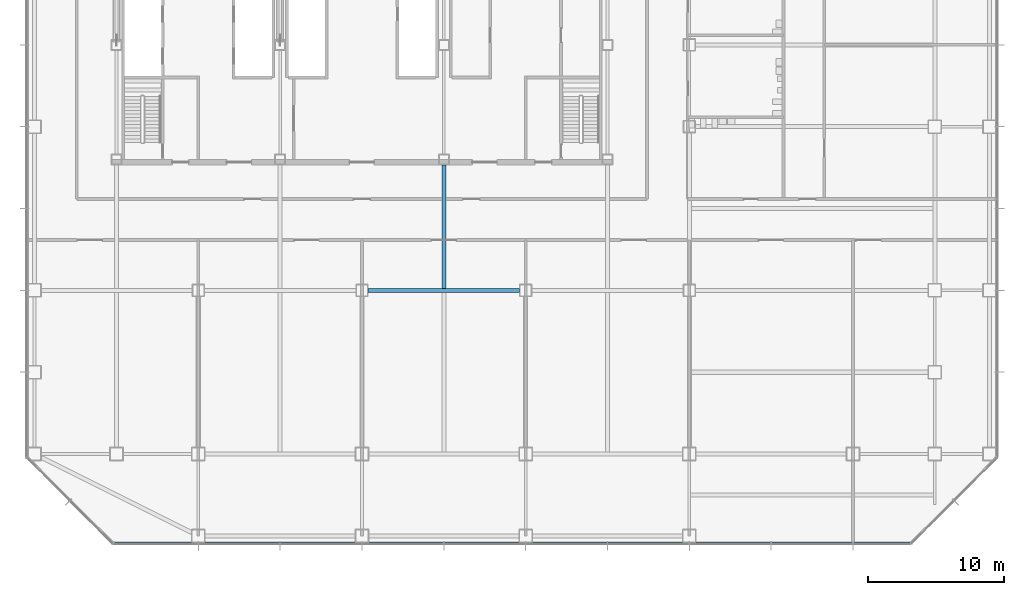
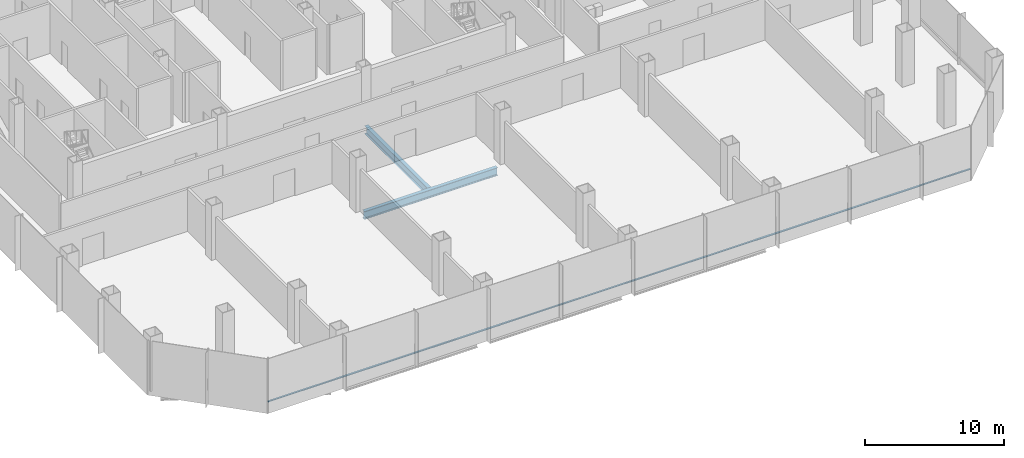
# One storey, part 7 of 33: 2 beams, 1 member, 1 element without a shape of its own.
"""IFC4 building model written with IfcOpenShell, lengths in metres."""

from ifc_helpers import new_model, si_unit, direction, frame, origin, origin_2d, place, context, subcontext, project, spatial, rectangle, i_section, extrude, material, material_profile, profile_set, type_object, element, aggregate, save


model = new_model("IFC4")

# Units and contexts
model_context = context("Model", 3, precision=1e-05, world=origin(), true_north=direction((0.0, 1.0)))
body_context = subcontext(model_context, "Body", "Model", "MODEL_VIEW")
ifc_project = project(units=[si_unit("LENGTHUNIT", "METRE"), si_unit("AREAUNIT", "SQUARE_METRE"), si_unit("VOLUMEUNIT", "CUBIC_METRE"), si_unit("PLANEANGLEUNIT", "RADIAN"), si_unit("MASSUNIT", "GRAM", prefix="KILO")], contexts=[model_context])

# Site, building, storey
site_placement = place(None, origin())
site = spatial("IfcSite", under=ifc_project, at=site_placement, CompositionType="ELEMENT")
building_placement = place(site_placement, origin())
building = spatial("IfcBuilding", under=site, at=building_placement, Name="Sorahane Residences", CompositionType="ELEMENT")
storey_placement = place(building_placement, frame((0.0, 0.0, 30.0)))
storey = spatial("IfcBuildingStorey", under=building, at=storey_placement, Name="L04", CompositionType="ELEMENT", Elevation=30.0)

# Curtain wall, member
ifc_material_1 = material(Name="Dark low-e glass and black anodised aluminium", Category="aluminium")
curtain_wall_type = type_object("IfcCurtainWallType", Name="Curtain wall CW-3 Podium unitised wall", PredefinedType="NOTDEFINED", material=ifc_material_1)
curtain_wall_placement = place(storey_placement, origin())
curtain_wall = element("IfcCurtainWall", 1, at=curtain_wall_placement, inside=storey, type_object=curtain_wall_type, Name="CW-3 curtain wall L04 S1", PredefinedType="NOTDEFINED")
ifc_material_2 = material(Name="Black anodised aluminium", Category="aluminium")
ifc_material_profile_1 = material_profile(ifc_material_2, rectangle(XDim=0.10009765625, YDim=0.06005859375, at=origin_2d()), Name="Curtain wall transom CW-3 black anodised aluminium 60x100")
ifc_profile_set_1 = profile_set([ifc_material_profile_1], Name="Black anodised aluminium")
member_type = type_object("IfcMemberType", Name="Curtain wall transom CW-3 black anodised aluminium 60x100", PredefinedType="USERDEFINED", material=ifc_profile_set_1)
member_placement = place(storey_placement, frame((5.801513671875, -6.530029296875, 0.60009765625), z_axis=(1.0, 0.0, 0.0), x_axis=(0.0, 1.0, 0.0)))
member = element("IfcMember", 2, at=member_placement, type_object=member_type, Name="CW-3 transom L04 S1", ObjectType="TRANSOM", PredefinedType="USERDEFINED", context=body_context, shape_type="SweptSolid", body=[
    extrude(rectangle(XDim=0.10009765625, YDim=0.06005859375, at=origin_2d()), origin(), (0.0, 0.0, 1.0), 58.39697265625),
])
aggregate(curtain_wall, [member])

# Beams
ifc_material_3 = material(Name="Steel Q355B", Category="steel")
ifc_material_profile_2 = material_profile(ifc_material_3, i_section(OverallWidth=0.300048828125, OverallDepth=0.699951171875, WebThickness=0.012939453125, FlangeThickness=0.02392578125, FilletRadius=0.028076171875, at=origin_2d()), Name="HN 700x300x13x24")
ifc_profile_set_2 = profile_set([ifc_material_profile_2], Name="Steel Q355B")
beam_type = type_object("IfcBeamType", Name="Steel floor beam HN 700x300x13x24 Q355B", PredefinedType="BEAM", material=ifc_profile_set_2)
beam_1_placement = place(storey_placement, frame((24.449951171875, 12.0, -0.75), z_axis=(1.0, 0.0, 0.0), x_axis=(0.0, 1.0, 0.0)))
element("IfcBeam", 3, at=beam_1_placement, inside=storey, type_object=beam_type, Name="Beam L04 010", PredefinedType="BEAM", context=body_context, shape_type="SweptSolid", body=[
    extrude(i_section(OverallWidth=0.300048828125, OverallDepth=0.699951171875, WebThickness=0.012939453125, FlangeThickness=0.02392578125, FilletRadius=0.028076171875, at=origin_2d()), origin(), (0.0, 0.0, 1.0), 11.10009765625),
])
beam_2_placement = place(storey_placement, frame((30.0, 12.14990234375, -0.75), z_axis=(0.0, 1.0, 0.0), x_axis=(-1.0, 0.0, 0.0)))
element("IfcBeam", 4, at=beam_2_placement, inside=storey, type_object=beam_type, Name="Beam L04 048", PredefinedType="BEAM", context=body_context, shape_type="SweptSolid", body=[
    extrude(i_section(OverallWidth=0.300048828125, OverallDepth=0.699951171875, WebThickness=0.012939453125, FlangeThickness=0.02392578125, FilletRadius=0.028076171875, at=origin_2d()), origin(), (0.0, 0.0, 1.0), 9.050048828125),
])

save(model, "model.ifc")
